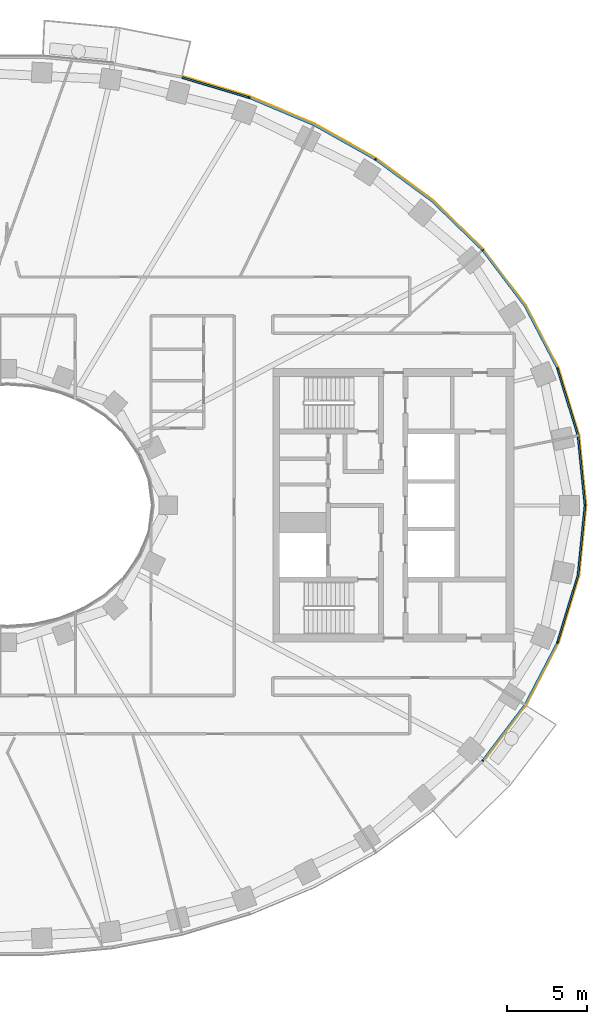
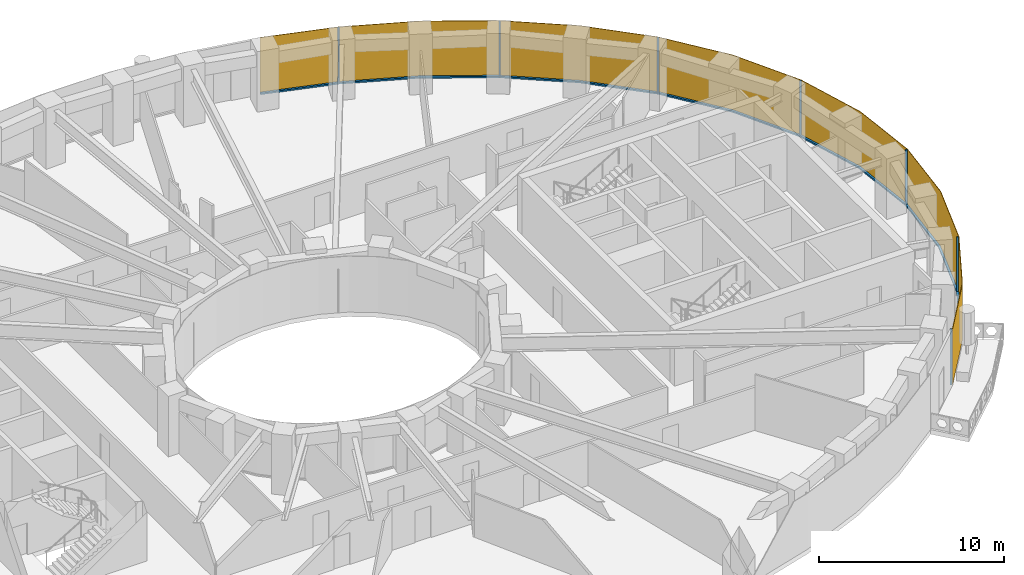
# One storey, part 13 of 16: 14 members, 1 curtain wall.
"""IFC4 building model written with IfcOpenShell, lengths in metres."""

from ifc_helpers import new_model, si_unit, direction, frame, origin, origin_2d, place, context, subcontext, project, spatial, polyline, rectangle, outline, extrude, material, layer, layer_set, material_profile, profile_set, type_object, element, aggregate, save


model = new_model("IFC4")

# Units and contexts
model_context = context("Model", 3, precision=1e-05, world=origin(), true_north=direction((0.0, 1.0)))
body_context = subcontext(model_context, "Body", "Model", "MODEL_VIEW")
ifc_project = project(units=[si_unit("LENGTHUNIT", "METRE"), si_unit("AREAUNIT", "SQUARE_METRE"), si_unit("VOLUMEUNIT", "CUBIC_METRE"), si_unit("PLANEANGLEUNIT", "RADIAN"), si_unit("MASSUNIT", "GRAM", prefix="KILO")], contexts=[model_context])

# Member
ifc_material_1 = material(Name="Aluminium 6063-T6 black anodised", Category="aluminium")
ifc_material_profile = material_profile(ifc_material_1, rectangle(XDim=0.1201171875, YDim=0.06005859375, at=origin_2d()), Name="120x60")
ifc_profile_set = profile_set([ifc_material_profile], Name="Aluminium 6063-T6 black anodised")
member_type_1 = type_object("IfcMemberType", Name="ENV-MULLION-A-120", PredefinedType="MULLION", material=ifc_profile_set)
site_placement = place(None, origin())
building_placement = place(site_placement, origin())
storey_placement = place(building_placement, frame((0.0, 0.0, 124.0)))
member_1_placement = place(storey_placement, frame((29.53857421875, -15.8671875, 0.0), z_axis=(0.0, 0.0, 1.0), x_axis=(-0.749047221705, 0.662516610853, 0.0)))
member_1 = element("IfcMember", 1, at=member_1_placement, type_object=member_type_1, Name="Mullion A radial 43", PredefinedType="MULLION", context=body_context, shape_type="SweptSolid", body=[
    extrude(rectangle(XDim=0.1201171875, YDim=0.06005859375, at=origin_2d()), origin(), (0.0, 0.0, 1.0), 3.699951171875),
])

member_2_placement = place(storey_placement, frame((34.19580078125, -8.513916015625, 0.0), z_axis=(0.0, 0.0, 1.0), x_axis=(-0.92546738067, 0.378827305398, 0.0)))
member_2 = element("IfcMember", 2, at=member_2_placement, type_object=member_type_1, Name="Mullion A radial 45", PredefinedType="MULLION", context=body_context, shape_type="SweptSolid", body=[
    extrude(rectangle(XDim=0.1201171875, YDim=0.06005859375, at=origin_2d()), origin(), (0.0, 0.0, 1.0), 3.699951171875),
])

member_3_placement = place(storey_placement, frame((35.907958984375, 0.0, 0.0), z_axis=(0.0, 0.0, 1.0), x_axis=(-1.0, 0.0, 0.0)))
member_3 = element("IfcMember", 3, at=member_3_placement, type_object=member_type_1, Name="Mullion A radial 01", PredefinedType="MULLION", context=body_context, shape_type="SweptSolid", body=[
    extrude(rectangle(XDim=0.1201171875, YDim=0.06005859375, at=origin_2d()), origin(), (0.0, 0.0, 1.0), 3.699951171875),
])

member_4_placement = place(storey_placement, frame((34.19580078125, 8.513916015625, 0.0), z_axis=(0.0, 0.0, 1.0), x_axis=(-0.92546738067, -0.378827305398, 0.0)))
member_4 = element("IfcMember", 4, at=member_4_placement, type_object=member_type_1, Name="Mullion A radial 03", PredefinedType="MULLION", context=body_context, shape_type="SweptSolid", body=[
    extrude(rectangle(XDim=0.1201171875, YDim=0.06005859375, at=origin_2d()), origin(), (0.0, 0.0, 1.0), 3.699951171875),
])

member_5_placement = place(storey_placement, frame((29.53857421875, 15.8671875, 0.0), z_axis=(0.0, 0.0, 1.0), x_axis=(-0.749047221705, -0.662516610853, 0.0)))
member_5 = element("IfcMember", 5, at=member_5_placement, type_object=member_type_1, Name="Mullion A radial 05", PredefinedType="MULLION", context=body_context, shape_type="SweptSolid", body=[
    extrude(rectangle(XDim=0.1201171875, YDim=0.06005859375, at=origin_2d()), origin(), (0.0, 0.0, 1.0), 3.699951171875),
])

member_6_placement = place(storey_placement, frame((22.882568359375, 21.506591796875, 0.0), z_axis=(0.0, 0.0, 1.0), x_axis=(-0.542279153225, -0.840198381323, 0.0)))
member_6 = element("IfcMember", 6, at=member_6_placement, type_object=member_type_1, Name="Mullion A radial 07", PredefinedType="MULLION", context=body_context, shape_type="SweptSolid", body=[
    extrude(rectangle(XDim=0.1201171875, YDim=0.06005859375, at=origin_2d()), origin(), (0.0, 0.0, 1.0), 3.699951171875),
])

member_7_placement = place(storey_placement, frame((15.0341796875, 25.34375, 0.0), z_axis=(0.0, 0.0, 1.0), x_axis=(-0.338379256581, -0.941009818608, 0.0)))
member_7 = element("IfcMember", 7, at=member_7_placement, type_object=member_type_1, Name="Mullion A radial 09", PredefinedType="MULLION", context=body_context, shape_type="SweptSolid", body=[
    extrude(rectangle(XDim=0.1201171875, YDim=0.06005859375, at=origin_2d()), origin(), (0.0, 0.0, 1.0), 3.699951171875),
])

ifc_material_2 = material(Name="Aluminium 6063-T6 black anodised", Category="aluminium")
member_type_2 = type_object("IfcMemberType", Name="ENV-TRANSOM-A", PredefinedType="USERDEFINED", material=ifc_material_2)
member_8_placement = place(storey_placement, origin())
member_8 = element("IfcMember", 8, at=member_8_placement, type_object=member_type_2, Name="Transom A radial 43-45", ObjectType="TRANSOM", PredefinedType="USERDEFINED", context=body_context, shape_type="SweptSolid", body=[
    extrude(outline(polyline([(29.6005859375, -15.884521484375), (32.22802734375, -12.41748046875), (34.23828125, -8.5615234375), (34.126708984375, -8.515869140625), (32.126220703125, -12.35302734375), (29.51025390625, -15.8046875), (29.6005859375, -15.884521484375)])), origin(), (0.0, 0.0, 1.0), 0.10009765625),
])

member_9_placement = place(storey_placement, origin())
member_9 = element("IfcMember", 9, at=member_9_placement, type_object=member_type_2, Name="Transom A radial 45-01", ObjectType="TRANSOM", PredefinedType="USERDEFINED", context=body_context, shape_type="SweptSolid", body=[
    extrude(outline(polyline([(34.259521484375, -8.509765625), (35.529541015625, -4.352294921875), (35.965087890625, -0.02783203125), (35.844482421875, -0.02783203125), (35.411376953125, -4.32861328125), (34.14794921875, -8.464111328125), (34.259521484375, -8.509765625)])), origin(), (0.0, 0.0, 1.0), 0.10009765625),
])

member_10_placement = place(storey_placement, origin())
member_10 = element("IfcMember", 10, at=member_10_placement, type_object=member_type_2, Name="Transom A radial 01-03", ObjectType="TRANSOM", PredefinedType="USERDEFINED", context=body_context, shape_type="SweptSolid", body=[
    extrude(outline(polyline([(35.965087890625, 0.02783203125), (35.529541015625, 4.352294921875), (34.259521484375, 8.509765625), (34.14794921875, 8.464111328125), (35.411376953125, 4.32861328125), (35.844482421875, 0.02783203125), (35.965087890625, 0.02783203125)])), origin(), (0.0, 0.0, 1.0), 0.10009765625),
])

member_11_placement = place(storey_placement, origin())
member_11 = element("IfcMember", 11, at=member_11_placement, type_object=member_type_2, Name="Transom A radial 03-05", ObjectType="TRANSOM", PredefinedType="USERDEFINED", context=body_context, shape_type="SweptSolid", body=[
    extrude(outline(polyline([(34.23828125, 8.5615234375), (32.22802734375, 12.41748046875), (29.6005859375, 15.884521484375), (29.51025390625, 15.8046875), (32.126220703125, 12.35302734375), (34.126708984375, 8.515869140625), (34.23828125, 8.5615234375)])), origin(), (0.0, 0.0, 1.0), 0.10009765625),
])

member_12_placement = place(storey_placement, origin())
member_12 = element("IfcMember", 12, at=member_12_placement, type_object=member_type_2, Name="Transom A radial 05-07", ObjectType="TRANSOM", PredefinedType="USERDEFINED", context=body_context, shape_type="SweptSolid", body=[
    extrude(outline(polyline([(29.5634765625, 15.926513671875), (26.4423828125, 18.958740234375), (22.937744140625, 21.540283203125), (22.87255859375, 21.439208984375), (26.364501953125, 18.866943359375), (29.473388671875, 15.8466796875), (29.5634765625, 15.926513671875)])), origin(), (0.0, 0.0, 1.0), 0.10009765625),
])

member_13_placement = place(storey_placement, origin())
member_13 = element("IfcMember", 13, at=member_13_placement, type_object=member_type_2, Name="Transom A radial 07-09", ObjectType="TRANSOM", PredefinedType="USERDEFINED", context=body_context, shape_type="SweptSolid", body=[
    extrude(outline(polyline([(22.890625, 21.570556640625), (19.093994140625, 23.701416015625), (15.080322265625, 25.389404296875), (15.03955078125, 25.276123046875), (19.041259765625, 23.593505859375), (22.825439453125, 21.469482421875), (22.890625, 21.570556640625)])), origin(), (0.0, 0.0, 1.0), 0.10009765625),
])

member_14_placement = place(storey_placement, origin())
member_14 = element("IfcMember", 14, at=member_14_placement, type_object=member_type_2, Name="Transom A radial 09-10", ObjectType="TRANSOM", PredefinedType="USERDEFINED", context=body_context, shape_type="SweptSolid", body=[
    extrude(outline(polyline([(15.027587890625, 25.408203125), (10.876708984375, 26.657470703125), (10.847900390625, 26.540771484375), (14.987060546875, 25.295166015625), (15.027587890625, 25.408203125)])), origin(), (0.0, 0.0, 1.0), 0.10009765625),
])

# Site, building, storey
site = spatial("IfcSite", under=ifc_project, at=site_placement, CompositionType="ELEMENT")
building = spatial("IfcBuilding", under=site, at=building_placement, Name="Noorbagh Ring Tower", CompositionType="ELEMENT")
storey = spatial("IfcBuildingStorey", under=building, at=storey_placement, Name="L28", CompositionType="ELEMENT", Elevation=124.0)

# Curtain wall
ifc_material_3 = material(Name="Glass dark tinted laminated", Category="glass")
ifc_layer = layer(ifc_material_3, 0.031982421875)
ifc_layer_set = layer_set([ifc_layer], Name="Glass dark tinted laminated")
curtain_wall_type = type_object("IfcCurtainWallType", Name="ENV-CW-A", PredefinedType="NOTDEFINED", material=ifc_layer_set)
curtain_wall_placement = place(storey_placement, origin())
curtain_wall = element("IfcCurtainWall", 15, at=curtain_wall_placement, inside=storey, type_object=curtain_wall_type, Name="Curtain wall A R43", PredefinedType="NOTDEFINED", context=body_context, shape_type="SweptSolid", body=[
    extrude(outline(polyline([(29.61962890625, -15.912109375), (32.255126953125, -12.434814453125), (34.281005859375, -8.548828125), (35.561279296875, -4.358642578125), (36.0, 0.0), (35.561279296875, 4.358642578125), (34.281005859375, 8.548828125), (32.255126953125, 12.434814453125), (29.607666015625, 15.927978515625), (26.463134765625, 18.9833984375), (22.9326171875, 21.583740234375), (19.108154296875, 23.730224609375), (15.065185546875, 25.430419921875), (10.884521484375, 26.6884765625), (10.876708984375, 26.657470703125), (15.054443359375, 25.400146484375), (19.093994140625, 23.701416015625), (22.9150390625, 21.556884765625), (26.4423828125, 18.958740234375), (29.58349609375, 15.906982421875), (32.22802734375, 12.41748046875), (34.251220703125, 8.53662109375), (35.529541015625, 4.352294921875), (35.9677734375, 0.0), (35.529541015625, -4.352294921875), (34.251220703125, -8.53662109375), (32.22802734375, -12.41748046875), (29.595703125, -15.890869140625), (29.61962890625, -15.912109375)])), origin(), (0.0, 0.0, 1.0), 3.699951171875),
])

aggregate(curtain_wall, [member_1, member_2, member_3, member_4, member_5, member_6, member_7, member_8, member_9, member_10, member_11, member_12, member_13, member_14])

save(model, "model.ifc")
